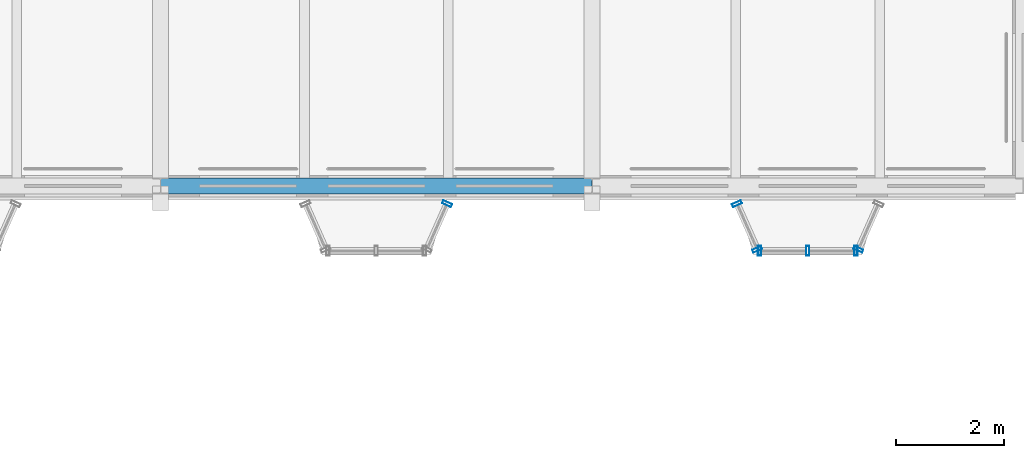
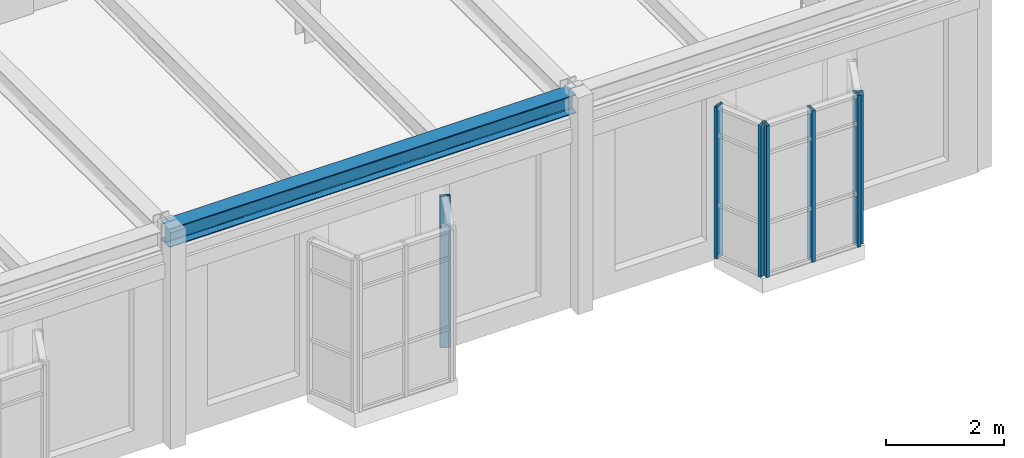
# One storey, part 46 of 153: 7 members, 1 beam, 4 elements without a shape of their own.
"""IFC4 building model written with IfcOpenShell, lengths in metres."""

from ifc_helpers import new_model, si_unit, direction, frame, origin, origin_2d, place, context, subcontext, project, spatial, hollow_rectangle, i_section, extrude, material, material_profile, profile_set, type_object, element, aggregate, save


model = new_model("IFC4")

# Units and contexts
model_context = context("Model", 3, precision=1e-05, world=origin(), true_north=direction((0.0, 1.0)))
body_context = subcontext(model_context, "Body", "Model", "MODEL_VIEW")
ifc_project = project(units=[si_unit("LENGTHUNIT", "METRE"), si_unit("AREAUNIT", "SQUARE_METRE"), si_unit("VOLUMEUNIT", "CUBIC_METRE"), si_unit("PLANEANGLEUNIT", "RADIAN"), si_unit("MASSUNIT", "GRAM", prefix="KILO")], contexts=[model_context])

# Site, building, storey
site_placement = place(None, origin())
site = spatial("IfcSite", under=ifc_project, at=site_placement, CompositionType="ELEMENT")
building_placement = place(site_placement, origin())
building = spatial("IfcBuilding", under=site, at=building_placement, Name="Kallimachos Central Library", CompositionType="ELEMENT")
storey_placement = place(building_placement, frame((0.0, 0.0, 5.39990234375)))
storey = spatial("IfcBuildingStorey", under=building, at=storey_placement, Name="L01", CompositionType="ELEMENT", Elevation=5.39990234375)

# Curtain wall, member
ifc_material_1 = material(Name="Laminated glass in anodised aluminium", Category="aluminium")
curtain_wall_type = type_object("IfcCurtainWallType", Name="Foyer curtain wall", PredefinedType="NOTDEFINED", material=ifc_material_1)
curtain_wall_1_placement = place(storey_placement, origin())
curtain_wall_1 = element("IfcCurtainWall", 1, at=curtain_wall_1_placement, inside=storey, type_object=curtain_wall_type, Name="Tribune bay return east", PredefinedType="NOTDEFINED")
ifc_material_2 = material(Name="Anodised aluminium", Category="aluminium")
ifc_material_profile_1 = material_profile(ifc_material_2, hollow_rectangle(XDim=0.06005859375, YDim=0.179931640625, WallThickness=0.00390625, at=origin_2d()), Name="ALU MULLION 60x180")
ifc_profile_set_1 = profile_set([ifc_material_profile_1], Name="Anodised aluminium")
member_type = type_object("IfcMemberType", Name="ALU MULLION 60x180 mullion", PredefinedType="MULLION", material=ifc_profile_set_1)
member_1_placement = place(storey_placement, frame((27.312744140625, 86.672607421875, 0.150146484375), z_axis=(0.0, 0.0, 1.0), x_axis=(0.40613846606, 0.913811548617, 0.0)))
member_1 = element("IfcMember", 2, at=member_1_placement, type_object=member_type, Name="CW mullion 2", PredefinedType="MULLION", context=body_context, shape_type="SweptSolid", body=[
    extrude(hollow_rectangle(XDim=0.06005859375, YDim=0.179931640625, WallThickness=0.00390625, at=origin_2d()), origin(), (0.0, 0.0, 1.0), 3.14990234375),
])
aggregate(curtain_wall_1, [member_1])

# Curtain wall, members
curtain_wall_2_placement = place(storey_placement, origin())
curtain_wall_2 = element("IfcCurtainWall", 3, at=curtain_wall_2_placement, inside=storey, type_object=curtain_wall_type, Name="Tribune bay return west", PredefinedType="NOTDEFINED")
member_2_placement = place(storey_placement, frame((32.687255859375, 86.672607421875, 0.150146484375), z_axis=(0.0, 0.0, 1.0), x_axis=(0.40613846606, -0.913811548617, 0.0)))
member_2 = element("IfcMember", 4, at=member_2_placement, type_object=member_type, Name="CW mullion 1", PredefinedType="MULLION", context=body_context, shape_type="SweptSolid", body=[
    extrude(hollow_rectangle(XDim=0.06005859375, YDim=0.179931640625, WallThickness=0.00390625, at=origin_2d()), origin(), (0.0, 0.0, 1.0), 3.14990234375),
])
member_3_placement = place(storey_placement, frame((33.062744140625, 85.827392578125, 0.150146484375), z_axis=(0.0, 0.0, 1.0), x_axis=(0.40613846606, -0.913811548617, 0.0)))
member_3 = element("IfcMember", 5, at=member_3_placement, type_object=member_type, Name="CW mullion 2", PredefinedType="MULLION", context=body_context, shape_type="SweptSolid", body=[
    extrude(hollow_rectangle(XDim=0.06005859375, YDim=0.179931640625, WallThickness=0.00390625, at=origin_2d()), origin(), (0.0, 0.0, 1.0), 3.14990234375),
])
aggregate(curtain_wall_2, [member_2, member_3])

curtain_wall_3_placement = place(storey_placement, origin())
curtain_wall_3 = element("IfcCurtainWall", 6, at=curtain_wall_3_placement, inside=storey, type_object=curtain_wall_type, Name="Tribune bay front", PredefinedType="NOTDEFINED")
member_4_placement = place(storey_placement, frame((33.10498046875, 85.800048828125, 0.150146484375), z_axis=(0.0, 0.0, 1.0), x_axis=(1.0, 0.0, 0.0)))
member_4 = element("IfcMember", 7, at=member_4_placement, type_object=member_type, Name="CW mullion 1", PredefinedType="MULLION", context=body_context, shape_type="SweptSolid", body=[
    extrude(hollow_rectangle(XDim=0.06005859375, YDim=0.179931640625, WallThickness=0.00390625, at=origin_2d()), origin(), (0.0, 0.0, 1.0), 3.14990234375),
])
member_5_placement = place(storey_placement, frame((34.0, 85.800048828125, 0.150146484375), z_axis=(0.0, 0.0, 1.0), x_axis=(1.0, 0.0, 0.0)))
member_5 = element("IfcMember", 8, at=member_5_placement, type_object=member_type, Name="CW mullion 2", PredefinedType="MULLION", context=body_context, shape_type="SweptSolid", body=[
    extrude(hollow_rectangle(XDim=0.06005859375, YDim=0.179931640625, WallThickness=0.00390625, at=origin_2d()), origin(), (0.0, 0.0, 1.0), 3.14990234375),
])
member_6_placement = place(storey_placement, frame((34.89501953125, 85.800048828125, 0.150146484375), z_axis=(0.0, 0.0, 1.0), x_axis=(1.0, 0.0, 0.0)))
member_6 = element("IfcMember", 9, at=member_6_placement, type_object=member_type, Name="CW mullion 3", PredefinedType="MULLION", context=body_context, shape_type="SweptSolid", body=[
    extrude(hollow_rectangle(XDim=0.06005859375, YDim=0.179931640625, WallThickness=0.00390625, at=origin_2d()), origin(), (0.0, 0.0, 1.0), 3.14990234375),
])
aggregate(curtain_wall_3, [member_4, member_5, member_6])

# Curtain wall, member
curtain_wall_4_placement = place(storey_placement, origin())
curtain_wall_4 = element("IfcCurtainWall", 10, at=curtain_wall_4_placement, inside=storey, type_object=curtain_wall_type, Name="Tribune bay return east", PredefinedType="NOTDEFINED")
member_7_placement = place(storey_placement, frame((34.937255859375, 85.827392578125, 0.150146484375), z_axis=(0.0, 0.0, 1.0), x_axis=(0.40613846606, 0.913811548617, 0.0)))
member_7 = element("IfcMember", 11, at=member_7_placement, type_object=member_type, Name="CW mullion 1", PredefinedType="MULLION", context=body_context, shape_type="SweptSolid", body=[
    extrude(hollow_rectangle(XDim=0.06005859375, YDim=0.179931640625, WallThickness=0.00390625, at=origin_2d()), origin(), (0.0, 0.0, 1.0), 3.14990234375),
])
aggregate(curtain_wall_4, [member_7])

# Beam
ifc_material_3 = material(Name="Steel S355J2", Category="steel")
ifc_material_profile_2 = material_profile(ifc_material_3, i_section(OverallWidth=0.300048828125, OverallDepth=0.389892578125, WebThickness=0.010986328125, FlangeThickness=0.01904296875, FilletRadius=0.027099609375, at=origin_2d()), Name="HEA 400")
ifc_profile_set_2 = profile_set([ifc_material_profile_2], Name="Steel S355J2")
beam_type = type_object("IfcBeamType", Name="HEA 400 beam", PredefinedType="BEAM", material=ifc_profile_set_2)
beam_placement = place(storey_placement, frame((22.0, 87.0, 4.155029296875), z_axis=(1.0, 0.0, 0.0), x_axis=(0.0, 1.0, 0.0)))
element("IfcBeam", 12, at=beam_placement, inside=storey, type_object=beam_type, Name="V2-BEM-L01-018", PredefinedType="BEAM", context=body_context, shape_type="SweptSolid", body=[
    extrude(i_section(OverallWidth=0.300048828125, OverallDepth=0.389892578125, WebThickness=0.010986328125, FlangeThickness=0.01904296875, FilletRadius=0.027099609375, at=origin_2d()), origin(), (0.0, 0.0, 1.0), 8.0),
])

save(model, "model.ifc")
